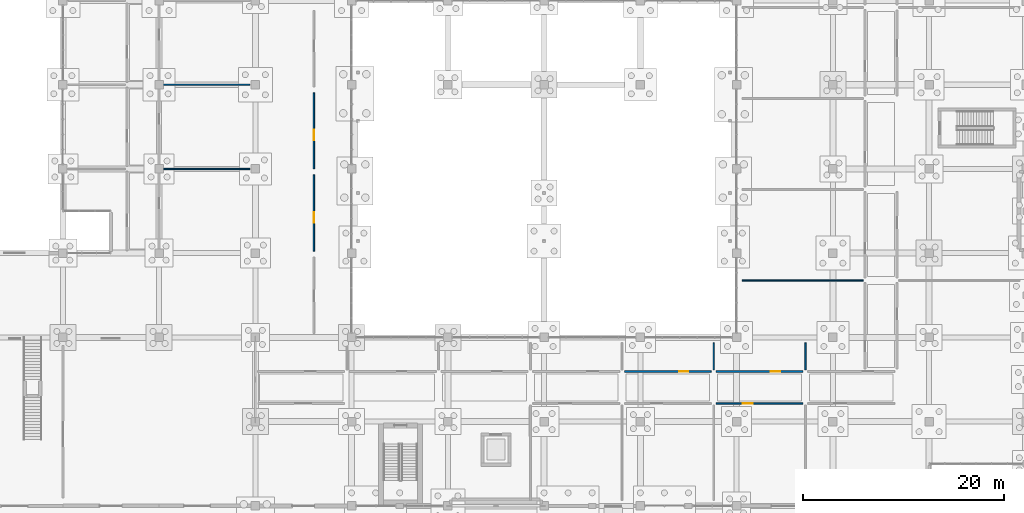
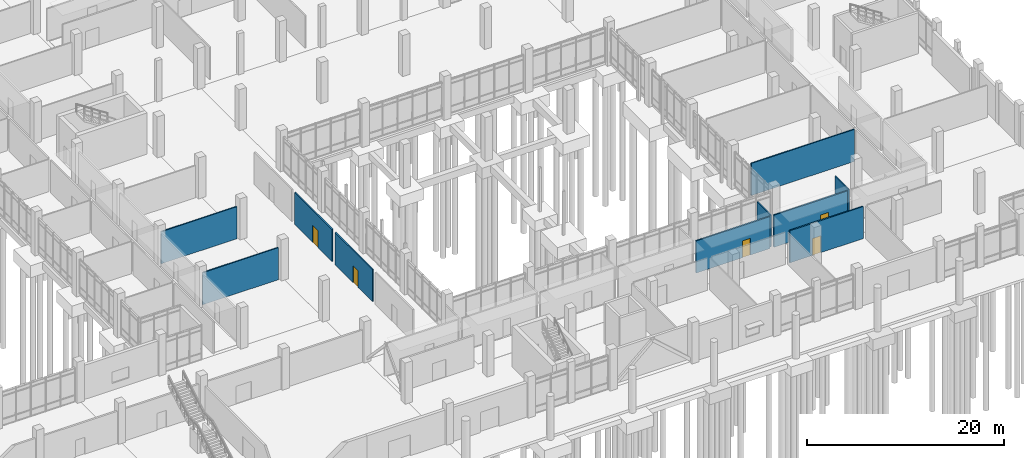
# One storey, part 112 of 136: 10 walls, 5 doors, 5 openings.
"""IFC4 building model written with IfcOpenShell, lengths in metres."""

from ifc_helpers import new_model, si_unit, direction, frame, frame_2d, origin, place, context, subcontext, project, spatial, rectangle, extrude, material, layer, layer_set, type_object, element, fill, save


model = new_model("IFC4")

# Units and contexts
model_context = context("Model", 3, precision=1e-05, world=origin(), true_north=direction((0.0, 1.0)))
body_context = subcontext(model_context, "Body", "Model", "MODEL_VIEW")
ifc_project = project(units=[si_unit("LENGTHUNIT", "METRE"), si_unit("AREAUNIT", "SQUARE_METRE"), si_unit("VOLUMEUNIT", "CUBIC_METRE"), si_unit("PLANEANGLEUNIT", "RADIAN"), si_unit("MASSUNIT", "GRAM", prefix="KILO")], contexts=[model_context])

# Site, building, storey
site_placement = place(None, origin())
site = spatial("IfcSite", under=ifc_project, at=site_placement, CompositionType="ELEMENT")
building_placement = place(site_placement, origin())
building = spatial("IfcBuilding", under=site, at=building_placement, Name="Oolite Switchyard Hospital", CompositionType="ELEMENT")
storey_placement = place(building_placement, origin())
storey = spatial("IfcBuildingStorey", under=building, at=storey_placement, Name="L00", CompositionType="ELEMENT", Elevation=0.0)

# Walls
ifc_material_1 = material(Name="Moisture-resistant gypsum board on steel studs", Category="steel")
ifc_layer_1 = layer(ifc_material_1, 0.135009765625)
ifc_layer_set_1 = layer_set([ifc_layer_1], Name="WAL-PART-135")
wall_type_1 = type_object("IfcWallType", Name="WAL-PART-135", PredefinedType="PARTITIONING", material=ifc_layer_set_1)
for number, where, z_axis, x_axis, name in (
    (1, (124.949951171875, 42.0, 0.0), (0.0, 0.0, 1.0), (1.0, 0.0, 0.0), "L00 Interior Partition 56"),
    (2, (124.949951171875, 50.39990234375, 0.0), (0.0, 0.0, 1.0), (1.0, 0.0, 0.0), "L00 Interior Partition 60"),
):
    element("IfcWall", number, at=place(storey_placement, frame(where, z_axis=z_axis, x_axis=x_axis)), inside=storey, type_object=wall_type_1, Name=name, PredefinedType="PARTITIONING", context=body_context, shape_type="SweptSolid", body=[
        extrude(rectangle(XDim=8.900146484375, YDim=0.135009765625, at=frame_2d((4.4501953125, 0.0))), origin(), (0.0, 0.0, 1.0), 3.97998046875),
    ])
for number, where, z_axis, x_axis, name in (
    (3, (180.114990234375, 21.949951171875, 0.0), (0.0, 0.0, 1.0), (0.0, 1.0, 0.0), "L00 Interior Partition 118"),
    (4, (189.258056640625, 21.949951171875, 0.0), (0.0, 0.0, 1.0), (0.0, 1.0, 0.0), "L00 Interior Partition 122"),
):
    element("IfcWall", number, at=place(storey_placement, frame(where, z_axis=z_axis, x_axis=x_axis)), inside=storey, type_object=wall_type_1, Name=name, PredefinedType="PARTITIONING", context=body_context, shape_type="SweptSolid", body=[
        extrude(rectangle(XDim=2.699951171875, YDim=0.135009765625, at=frame_2d((1.35009765625, 0.0))), origin(), (0.0, 0.0, 1.0), 3.97998046875),
    ])
wall_1_placement = place(storey_placement, frame((182.949951171875, 30.8798828125, 0.0), z_axis=(0.0, 0.0, 1.0), x_axis=(1.0, 0.0, 0.0)))
element("IfcWall", 5, at=wall_1_placement, inside=storey, type_object=wall_type_1, Name="L00 Interior Partition 126", PredefinedType="PARTITIONING", context=body_context, shape_type="SweptSolid", body=[
    extrude(rectangle(XDim=12.10009765625, YDim=0.135009765625, at=frame_2d((6.050048828125, 0.0))), origin(), (0.0, 0.0, 1.0), 3.97998046875),
])

# Wall, opening, door
ifc_layer_2 = layer(ifc_material_1, 0.14990234375)
ifc_layer_set_2 = layer_set([ifc_layer_2], Name="WAL-PART-150")
wall_type_2 = type_object("IfcWallType", Name="WAL-PART-150", PredefinedType="PARTITIONING", material=ifc_layer_set_2)
wall_2_placement = place(storey_placement, frame((140.25, 33.800048828125, 0.0), z_axis=(0.0, 0.0, 1.0), x_axis=(0.0, 1.0, 0.0)))
wall_2 = element("IfcWall", 6, at=wall_2_placement, inside=storey, type_object=wall_type_2, Name="L00 Interior Partition 970", PredefinedType="PARTITIONING", context=body_context, shape_type="SweptSolid", body=[
    extrude(rectangle(XDim=7.599853515625, YDim=0.14990234375, at=frame_2d((3.7998046875, 0.0))), origin(), (0.0, 0.0, 1.0), 3.97998046875),
])
opening_1_placement = place(wall_2_placement, frame((2.85009765625, 0.0, 0.0)))
opening_1 = element("IfcOpeningElement", 7, at=opening_1_placement, cuts=wall_2, Name="Opening D-0538", PredefinedType="OPENING", context=body_context, shape_type="SweptSolid", body=[
    extrude(rectangle(XDim=1.050048828125, YDim=2.10009765625, at=frame_2d((0.52490234375, 1.050048828125))), frame((0.0, 0.0849609375, 0.0), z_axis=(0.0, -1.0, 0.0), x_axis=(1.0, 0.0, 0.0)), (0.0, 0.0, 1.0), 0.169921875),
])
ifc_material_2 = material(Name="Solid-core antimicrobial hardwood leaf in steel frame", Category="steel")
door_type_1 = type_object("IfcDoorType", Name="DR-EXAM-105X210", OperationType="NOTDEFINED", PredefinedType="DOOR", material=ifc_material_2)
door_1_placement = place(opening_1_placement, origin())
door_1 = element("IfcDoor", 8, at=door_1_placement, inside=storey, type_object=door_type_1, Name="L00 Interior Door D-0538", OperationType="SINGLE_SWING_RIGHT", OverallHeight=2.10009765625, OverallWidth=1.050048828125, PredefinedType="DOOR", context=body_context, shape_type="SweptSolid", body=[
    extrude(rectangle(XDim=1.050048828125, YDim=2.10009765625, at=frame_2d((0.52490234375, 1.050048828125))), frame((0.0, 0.02490234375, 0.0), z_axis=(0.0, -1.0, 0.0), x_axis=(1.0, 0.0, 0.0)), (0.0, 0.0, 1.0), 0.050048828125),
])
fill(opening_1, door_1)

wall_3_placement = place(storey_placement, frame((140.25, 42.0, 0.0), z_axis=(0.0, 0.0, 1.0), x_axis=(0.0, 1.0, 0.0)))
wall_3 = element("IfcWall", 9, at=wall_3_placement, inside=storey, type_object=wall_type_2, Name="L00 Interior Partition 971", PredefinedType="PARTITIONING", context=body_context, shape_type="SweptSolid", body=[
    extrude(rectangle(XDim=7.60009765625, YDim=0.14990234375, at=frame_2d((3.800048828125, 0.0))), origin(), (0.0, 0.0, 1.0), 3.97998046875),
])
opening_2_placement = place(wall_3_placement, frame((2.85009765625, 0.0, 0.0)))
opening_2 = element("IfcOpeningElement", 10, at=opening_2_placement, cuts=wall_3, Name="Opening D-0539", PredefinedType="OPENING", context=body_context, shape_type="SweptSolid", body=[
    extrude(rectangle(XDim=1.050048828125, YDim=2.10009765625, at=frame_2d((0.52490234375, 1.050048828125))), frame((0.0, 0.0849609375, 0.0), z_axis=(0.0, -1.0, 0.0), x_axis=(1.0, 0.0, 0.0)), (0.0, 0.0, 1.0), 0.169921875),
])
door_2_placement = place(opening_2_placement, origin())
door_2 = element("IfcDoor", 11, at=door_2_placement, inside=storey, type_object=door_type_1, Name="L00 Interior Door D-0539", OperationType="SINGLE_SWING_LEFT", OverallHeight=2.10009765625, OverallWidth=1.050048828125, PredefinedType="DOOR", context=body_context, shape_type="SweptSolid", body=[
    extrude(rectangle(XDim=1.050048828125, YDim=2.10009765625, at=frame_2d((0.52490234375, 1.050048828125))), frame((0.0, 0.02490234375, 0.0), z_axis=(0.0, -1.0, 0.0), x_axis=(1.0, 0.0, 0.0)), (0.0, 0.0, 1.0), 0.050048828125),
])
fill(opening_2, door_2)

ifc_layer_3 = layer(ifc_material_1, 0.1650390625)
ifc_layer_set_3 = layer_set([ifc_layer_3], Name="WAL-PART-165")
wall_type_3 = type_object("IfcWallType", Name="WAL-PART-165", PredefinedType="PARTITIONING", material=ifc_layer_set_3)
wall_4_placement = place(storey_placement, frame((171.221923828125, 21.800048828125, 0.0), z_axis=(0.0, 0.0, 1.0), x_axis=(1.0, 0.0, 0.0)))
wall_4 = element("IfcWall", 12, at=wall_4_placement, inside=storey, type_object=wall_type_3, Name="L00 Interior Partition 113", PredefinedType="PARTITIONING", context=body_context, shape_type="SweptSolid", body=[
    extrude(rectangle(XDim=8.64306640625, YDim=0.1650390625, at=frame_2d((4.321533203125, 0.0))), origin(), (0.0, 0.0, 1.0), 3.97998046875),
])
opening_3_placement = place(wall_4_placement, frame((5.449951171875, 0.0, 0.0)))
opening_3 = element("IfcOpeningElement", 13, at=opening_3_placement, cuts=wall_4, Name="Opening D-0070", PredefinedType="OPENING", context=body_context, shape_type="SweptSolid", body=[
    extrude(rectangle(XDim=0.89990234375, YDim=2.10009765625, at=frame_2d((0.449951171875, 1.050048828125))), frame((0.0, 0.092529296875, 0.0), z_axis=(0.0, -1.0, 0.0), x_axis=(1.0, 0.0, 0.0)), (0.0, 0.0, 1.0), 0.18505859375),
])
door_type_2 = type_object("IfcDoorType", Name="DR-BATH-090X210", OperationType="NOTDEFINED", PredefinedType="DOOR", material=ifc_material_2)
door_3_placement = place(opening_3_placement, origin())
door_3 = element("IfcDoor", 14, at=door_3_placement, inside=storey, type_object=door_type_2, Name="L00 Interior Door D-0070", OperationType="SINGLE_SWING_RIGHT", OverallHeight=2.10009765625, OverallWidth=0.89990234375, PredefinedType="DOOR", context=body_context, shape_type="SweptSolid", body=[
    extrude(rectangle(XDim=0.89990234375, YDim=2.10009765625, at=frame_2d((0.449951171875, 1.050048828125))), frame((0.0, 0.02490234375, 0.0), z_axis=(0.0, -1.0, 0.0), x_axis=(1.0, 0.0, 0.0)), (0.0, 0.0, 1.0), 0.050048828125),
])
fill(opening_3, door_3)

wall_5_placement = place(storey_placement, frame((180.364990234375, 18.60009765625, 0.0), z_axis=(0.0, 0.0, 1.0), x_axis=(1.0, 0.0, 0.0)))
wall_5 = element("IfcWall", 15, at=wall_5_placement, inside=storey, type_object=wall_type_3, Name="L00 Interior Partition 115", PredefinedType="PARTITIONING", context=body_context, shape_type="SweptSolid", body=[
    extrude(rectangle(XDim=8.64306640625, YDim=0.1650390625, at=frame_2d((4.321533203125, 0.0))), origin(), (0.0, 0.0, 1.0), 3.97998046875),
])
opening_4_placement = place(wall_5_placement, frame((2.64990234375, 0.0, 0.0)))
opening_4 = element("IfcOpeningElement", 16, at=opening_4_placement, cuts=wall_5, Name="Opening D-0071", PredefinedType="OPENING", context=body_context, shape_type="SweptSolid", body=[
    extrude(rectangle(XDim=1.0, YDim=2.10009765625, at=frame_2d((0.5, 1.050048828125))), frame((0.0, 0.092529296875, 0.0), z_axis=(0.0, -1.0, 0.0), x_axis=(1.0, 0.0, 0.0)), (0.0, 0.0, 1.0), 0.18505859375),
])
door_type_3 = type_object("IfcDoorType", Name="DR-EXAM-100X210", OperationType="NOTDEFINED", PredefinedType="DOOR", material=ifc_material_2)
door_4_placement = place(opening_4_placement, origin())
door_4 = element("IfcDoor", 17, at=door_4_placement, inside=storey, type_object=door_type_3, Name="L00 Interior Door D-0071", OperationType="SINGLE_SWING_RIGHT", OverallHeight=2.10009765625, OverallWidth=1.0, PredefinedType="DOOR", context=body_context, shape_type="SweptSolid", body=[
    extrude(rectangle(XDim=1.0, YDim=2.10009765625, at=frame_2d((0.5, 1.050048828125))), frame((0.0, 0.02490234375, 0.0), z_axis=(0.0, -1.0, 0.0), x_axis=(1.0, 0.0, 0.0)), (0.0, 0.0, 1.0), 0.050048828125),
])
fill(opening_4, door_4)

wall_6_placement = place(storey_placement, frame((180.364990234375, 21.800048828125, 0.0), z_axis=(0.0, 0.0, 1.0), x_axis=(1.0, 0.0, 0.0)))
wall_6 = element("IfcWall", 18, at=wall_6_placement, inside=storey, type_object=wall_type_3, Name="L00 Interior Partition 117", PredefinedType="PARTITIONING", context=body_context, shape_type="SweptSolid", body=[
    extrude(rectangle(XDim=8.64306640625, YDim=0.1650390625, at=frame_2d((4.321533203125, 0.0))), origin(), (0.0, 0.0, 1.0), 3.97998046875),
])
opening_5_placement = place(wall_6_placement, frame((5.449951171875, 0.0, 0.0)))
opening_5 = element("IfcOpeningElement", 19, at=opening_5_placement, cuts=wall_6, Name="Opening D-0072", PredefinedType="OPENING", context=body_context, shape_type="SweptSolid", body=[
    extrude(rectangle(XDim=0.949951171875, YDim=2.10009765625, at=frame_2d((0.47509765625, 1.050048828125))), frame((0.0, 0.092529296875, 0.0), z_axis=(0.0, -1.0, 0.0), x_axis=(1.0, 0.0, 0.0)), (0.0, 0.0, 1.0), 0.18505859375),
])
door_type_4 = type_object("IfcDoorType", Name="DR-BATH-095X210", OperationType="NOTDEFINED", PredefinedType="DOOR", material=ifc_material_2)
door_5_placement = place(opening_5_placement, origin())
door_5 = element("IfcDoor", 20, at=door_5_placement, inside=storey, type_object=door_type_4, Name="L00 Interior Door D-0072", OperationType="SINGLE_SWING_LEFT", OverallHeight=2.10009765625, OverallWidth=0.949951171875, PredefinedType="DOOR", context=body_context, shape_type="SweptSolid", body=[
    extrude(rectangle(XDim=0.949951171875, YDim=2.10009765625, at=frame_2d((0.47509765625, 1.050048828125))), frame((0.0, 0.02490234375, 0.0), z_axis=(0.0, -1.0, 0.0), x_axis=(1.0, 0.0, 0.0)), (0.0, 0.0, 1.0), 0.050048828125),
])
fill(opening_5, door_5)

save(model, "model.ifc")
